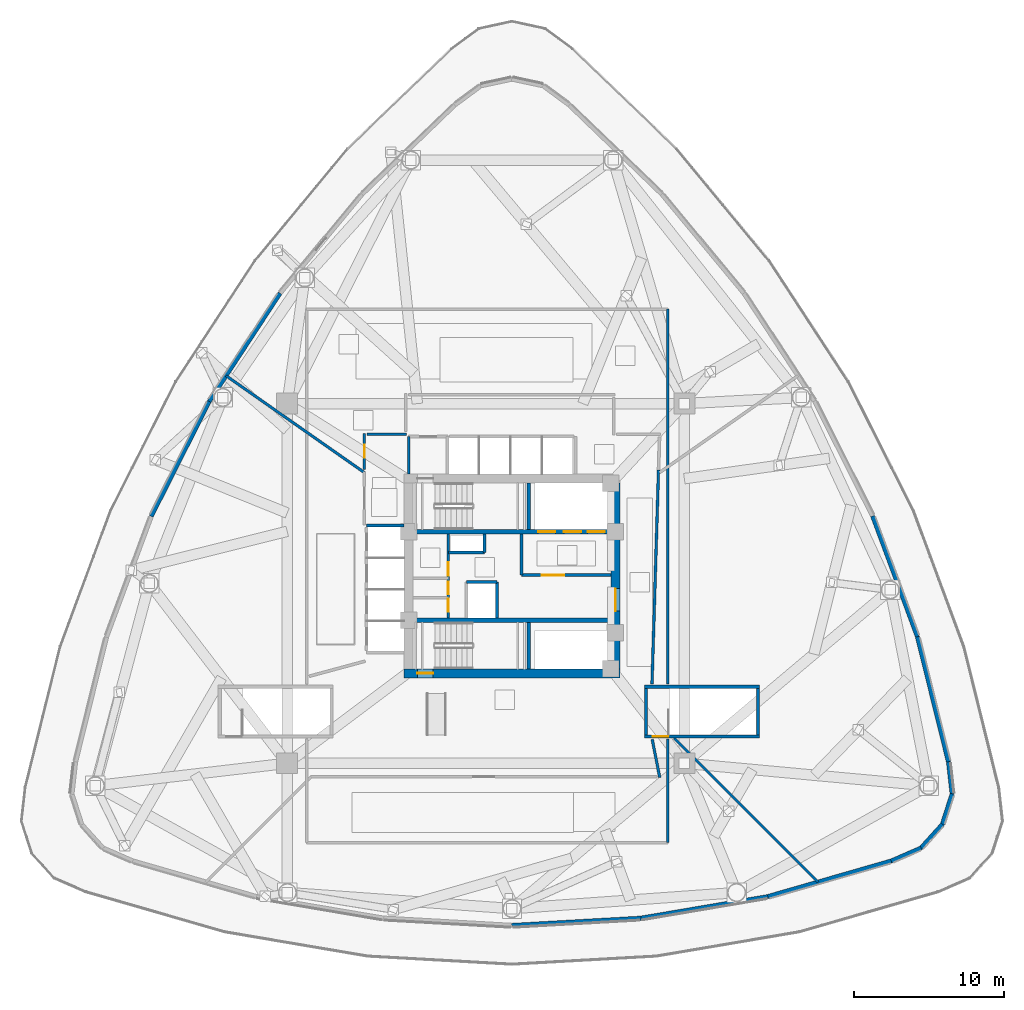
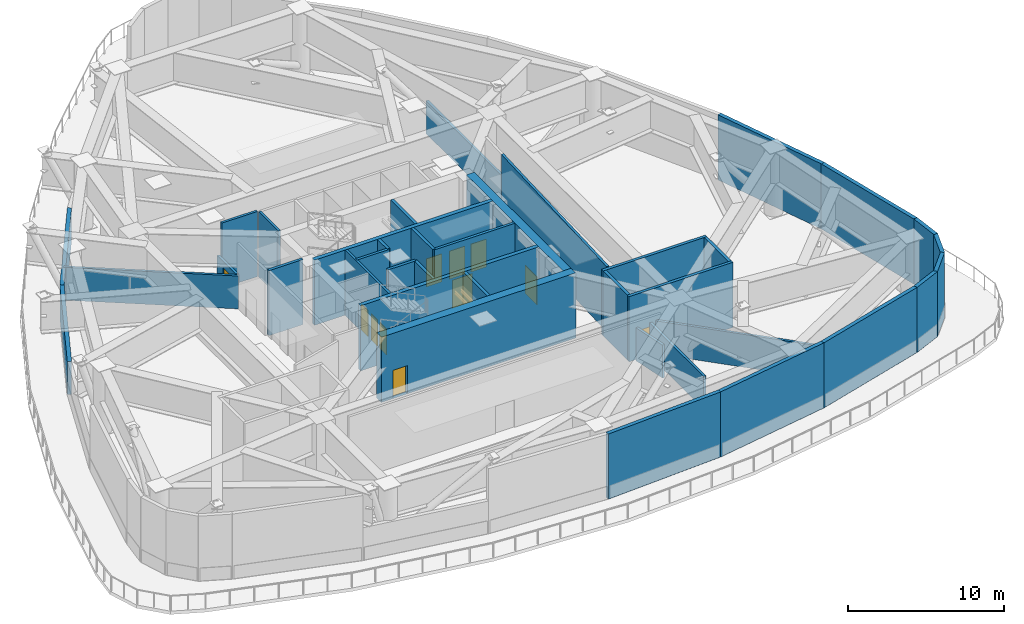
# One storey, part 4 of 9: 38 walls, 11 doors, 11 openings.
"""IFC4 building model written with IfcOpenShell, lengths in metres."""

from ifc_helpers import new_model, si_unit, direction, frame, frame_2d, origin, place, context, subcontext, project, spatial, rectangle, extrude, material, layer, layer_set, type_object, element, fill, save


model = new_model("IFC4")

# Units and contexts
model_context = context("Model", 3, precision=1e-05, world=origin(), true_north=direction((0.0, 1.0)))
body_context = subcontext(model_context, "Body", "Model", "MODEL_VIEW")
ifc_project = project(units=[si_unit("LENGTHUNIT", "METRE"), si_unit("AREAUNIT", "SQUARE_METRE"), si_unit("VOLUMEUNIT", "CUBIC_METRE"), si_unit("PLANEANGLEUNIT", "RADIAN"), si_unit("MASSUNIT", "GRAM", prefix="KILO")], contexts=[model_context])

# Site, building, storey
site_placement = place(None, origin())
site = spatial("IfcSite", under=ifc_project, at=site_placement, CompositionType="ELEMENT")
building_placement = place(site_placement, origin())
building = spatial("IfcBuilding", under=site, at=building_placement, Name="Tavelor Broadcast Tower", CompositionType="ELEMENT")
storey_placement = place(building_placement, frame((0.0, 0.0, 22.199951171875)))
storey = spatial("IfcBuildingStorey", under=building, at=storey_placement, Name="L04", CompositionType="ELEMENT", Elevation=22.199951171875)

# Wall, opening, door
ifc_material_1 = material(Name="Concrete C60/75", Category="concrete")
ifc_layer_1 = layer(ifc_material_1, 0.60009765625)
ifc_layer_set_1 = layer_set([ifc_layer_1], Name="Concrete C60/75")
wall_type_1 = type_object("IfcWallType", Name="Core Shear Wall 600 mm", PredefinedType="SHEAR", material=ifc_layer_set_1)
wall_1_placement = place(storey_placement, frame((42.800048828125, 38.5, 0.0), z_axis=(0.0, 0.0, 1.0), x_axis=(1.0, 0.0, 0.0)))
wall_1 = element("IfcWall", 1, at=wall_1_placement, inside=storey, type_object=wall_type_1, Name="L04 Central Core Shear Wall S", PredefinedType="SHEAR", context=body_context, shape_type="SweptSolid", body=[
    extrude(rectangle(XDim=14.39990234375, YDim=0.60009765625, at=frame_2d((7.199951171875, 0.0))), origin(), (0.0, 0.0, 1.0), 5.10009765625),
])
opening_1_placement = place(wall_1_placement, frame((0.8798828125, 0.0, 0.0)))
opening_1 = element("IfcOpeningElement", 2, at=opening_1_placement, cuts=wall_1, Name="Opening DR11", PredefinedType="OPENING", context=body_context, shape_type="SweptSolid", body=[
    extrude(rectangle(XDim=1.050048828125, YDim=2.199951171875, at=frame_2d((0.52490234375, 1.10009765625))), frame((0.0, 0.31005859375, 0.0), z_axis=(0.0, -1.0, 0.0), x_axis=(1.0, 0.0, 0.0)), (0.0, 0.0, 1.0), 0.6201171875),
])
ifc_material_2 = material(Name="Steel S355", Category="steel")
door_type_1 = type_object("IfcDoorType", Name="Stair Core Fire Escape Door 1050x2200", OperationType="NOTDEFINED", PredefinedType="DOOR", material=ifc_material_2)
door_1_placement = place(opening_1_placement, origin())
door_1 = element("IfcDoor", 3, at=door_1_placement, inside=storey, type_object=door_type_1, Name="L04 Stair ST2 Protected Exit Door", OperationType="SINGLE_SWING_RIGHT", OverallHeight=2.199951171875, OverallWidth=1.050048828125, PredefinedType="DOOR", context=body_context, shape_type="SweptSolid", body=[
    extrude(rectangle(XDim=1.050048828125, YDim=2.199951171875, at=frame_2d((0.52490234375, 1.10009765625))), frame((0.0, 0.02490234375, 0.0), z_axis=(0.0, -1.0, 0.0), x_axis=(1.0, 0.0, 0.0)), (0.0, 0.0, 1.0), 0.050048828125),
])
fill(opening_1, door_1)

wall_2_placement = place(storey_placement, frame((56.89990234375, 38.800048828125, 0.0), z_axis=(0.0, 0.0, 1.0), x_axis=(0.0, 1.0, 0.0)))
wall_2 = element("IfcWall", 4, at=wall_2_placement, inside=storey, type_object=wall_type_1, Name="L04 Central Core Shear Wall E", PredefinedType="SHEAR", context=body_context, shape_type="SweptSolid", body=[
    extrude(rectangle(XDim=12.39990234375, YDim=0.60009765625, at=frame_2d((6.199951171875, 0.0))), origin(), (0.0, 0.0, 1.0), 5.10009765625),
])
opening_2_placement = place(wall_2_placement, frame((3.85009765625, 0.0, 0.0)))
opening_2 = element("IfcOpeningElement", 5, at=opening_2_placement, cuts=wall_2, Name="Opening DR14", PredefinedType="OPENING", context=body_context, shape_type="SweptSolid", body=[
    extrude(rectangle(XDim=1.5, YDim=2.199951171875, at=frame_2d((0.75, 1.10009765625))), frame((0.0, 0.31005859375, 0.0), z_axis=(0.0, -1.0, 0.0), x_axis=(1.0, 0.0, 0.0)), (0.0, 0.0, 1.0), 0.6201171875),
])
door_type_2 = type_object("IfcDoorType", Name="Firefighting Lobby Double Fire Door 1500x2200", OperationType="NOTDEFINED", PredefinedType="DOOR", material=ifc_material_2)
door_2_placement = place(opening_2_placement, origin())
door_2 = element("IfcDoor", 6, at=door_2_placement, inside=storey, type_object=door_type_2, Name="L04 Central Core Lobby Fire Door", OperationType="SINGLE_SWING_LEFT", OverallHeight=2.199951171875, OverallWidth=1.5, PredefinedType="DOOR", context=body_context, shape_type="SweptSolid", body=[
    extrude(rectangle(XDim=1.5, YDim=2.199951171875, at=frame_2d((0.75, 1.10009765625))), frame((0.0, 0.02490234375, 0.0), z_axis=(0.0, -1.0, 0.0), x_axis=(1.0, 0.0, 0.0)), (0.0, 0.0, 1.0), 0.050048828125),
])
fill(opening_2, door_2)

# Wall, openings, doors
ifc_layer_2 = layer(ifc_material_1, 0.300048828125)
ifc_layer_set_2 = layer_set([ifc_layer_2], Name="Concrete C60/75")
wall_type_2 = type_object("IfcWallType", Name="Core Spine Shear Wall 300 mm C60", PredefinedType="SHEAR", material=ifc_layer_set_2)
wall_3_placement = place(storey_placement, frame((43.39990234375, 47.949951171875, 0.0), z_axis=(0.0, 0.0, 1.0), x_axis=(1.0, 0.0, 0.0)))
wall_3 = element("IfcWall", 7, at=wall_3_placement, inside=storey, type_object=wall_type_2, Name="L04 Central Core Shear Wall SP1", PredefinedType="SHEAR", context=body_context, shape_type="SweptSolid", body=[
    extrude(rectangle(XDim=13.2001953125, YDim=0.300048828125, at=frame_2d((6.60009765625, 0.0))), origin(), (0.0, 0.0, 1.0), 5.10009765625),
])
opening_3_placement = place(wall_3_placement, frame((8.344970703125, 0.0, 0.0)))
opening_3 = element("IfcOpeningElement", 8, at=opening_3_placement, cuts=wall_3, Name="Opening LD02", PredefinedType="OPENING", context=body_context, shape_type="SweptSolid", body=[
    extrude(rectangle(XDim=1.14990234375, YDim=2.199951171875, at=frame_2d((0.574951171875, 1.10009765625))), frame((0.0, 0.16015625, 0.0), z_axis=(0.0, -1.0, 0.0), x_axis=(1.0, 0.0, 0.0)), (0.0, 0.0, 1.0), 0.320068359375),
])
opening_4_placement = place(wall_3_placement, frame((10.06494140625, 0.0, 0.0)))
opening_4 = element("IfcOpeningElement", 9, at=opening_4_placement, cuts=wall_3, Name="Opening LD02", PredefinedType="OPENING", context=body_context, shape_type="SweptSolid", body=[
    extrude(rectangle(XDim=1.14990234375, YDim=2.199951171875, at=frame_2d((0.574951171875, 1.10009765625))), frame((0.0, 0.16015625, 0.0), z_axis=(0.0, -1.0, 0.0), x_axis=(1.0, 0.0, 0.0)), (0.0, 0.0, 1.0), 0.320068359375),
])
opening_5_placement = place(wall_3_placement, frame((11.64501953125, 0.0, 0.0)))
opening_5 = element("IfcOpeningElement", 10, at=opening_5_placement, cuts=wall_3, Name="Opening LD03", PredefinedType="OPENING", context=body_context, shape_type="SweptSolid", body=[
    extrude(rectangle(XDim=1.14990234375, YDim=2.199951171875, at=frame_2d((0.574951171875, 1.10009765625))), frame((0.0, 0.16015625, 0.0), z_axis=(0.0, -1.0, 0.0), x_axis=(1.0, 0.0, 0.0)), (0.0, 0.0, 1.0), 0.320068359375),
])
ifc_material_3 = material(Name="Reinforced Brushed Stainless Steel", Category="concrete")
door_type_3 = type_object("IfcDoorType", Name="Broadcast Goods Lift Sliding Landing Door 1250x2200", OperationType="NOTDEFINED", PredefinedType="DOOR", material=ifc_material_3)
door_3_placement = place(opening_5_placement, origin())
door_3 = element("IfcDoor", 11, at=door_3_placement, inside=storey, type_object=door_type_3, Name="L04 Lift SVL1 Sliding Landing Door", OperationType="SLIDING_TO_LEFT", OverallHeight=2.199951171875, OverallWidth=1.14990234375, PredefinedType="DOOR", context=body_context, shape_type="SweptSolid", body=[
    extrude(rectangle(XDim=1.14990234375, YDim=2.199951171875, at=frame_2d((0.574951171875, 1.10009765625))), frame((0.0, 0.02490234375, 0.0), z_axis=(0.0, -1.0, 0.0), x_axis=(1.0, 0.0, 0.0)), (0.0, 0.0, 1.0), 0.050048828125),
])
fill(opening_5, door_3)
ifc_material_4 = material(Name="Fire-Rated Stainless Steel", Category="steel")
door_type_4 = type_object("IfcDoorType", Name="Firefighting Lift Sliding Landing Door 1200x2200", OperationType="NOTDEFINED", PredefinedType="DOOR", material=ifc_material_4)
door_4_placement = place(opening_3_placement, origin())
door_4 = element("IfcDoor", 12, at=door_4_placement, inside=storey, type_object=door_type_4, Name="L04 Lift FFL1 Sliding Landing Door", OperationType="SLIDING_TO_LEFT", OverallHeight=2.199951171875, OverallWidth=1.14990234375, PredefinedType="DOOR", context=body_context, shape_type="SweptSolid", body=[
    extrude(rectangle(XDim=1.14990234375, YDim=2.199951171875, at=frame_2d((0.574951171875, 1.10009765625))), frame((0.0, 0.02490234375, 0.0), z_axis=(0.0, -1.0, 0.0), x_axis=(1.0, 0.0, 0.0)), (0.0, 0.0, 1.0), 0.050048828125),
])
fill(opening_3, door_4)
door_5_placement = place(opening_4_placement, origin())
door_5 = element("IfcDoor", 13, at=door_5_placement, inside=storey, type_object=door_type_4, Name="L04 Lift FFL2 Sliding Landing Door", OperationType="SLIDING_TO_LEFT", OverallHeight=2.199951171875, OverallWidth=1.14990234375, PredefinedType="DOOR", context=body_context, shape_type="SweptSolid", body=[
    extrude(rectangle(XDim=1.14990234375, YDim=2.199951171875, at=frame_2d((0.574951171875, 1.10009765625))), frame((0.0, 0.02490234375, 0.0), z_axis=(0.0, -1.0, 0.0), x_axis=(1.0, 0.0, 0.0)), (0.0, 0.0, 1.0), 0.050048828125),
])
fill(opening_4, door_5)

# Wall
wall_4_placement = place(storey_placement, frame((43.39990234375, 42.050048828125, 0.0), z_axis=(0.0, 0.0, 1.0), x_axis=(1.0, 0.0, 0.0)))
element("IfcWall", 14, at=wall_4_placement, inside=storey, type_object=wall_type_2, Name="L04 Central Core Shear Wall SP2", PredefinedType="SHEAR", context=body_context, shape_type="SweptSolid", body=[
    extrude(rectangle(XDim=13.2001953125, YDim=0.300048828125, at=frame_2d((6.60009765625, 0.0))), origin(), (0.0, 0.0, 1.0), 5.10009765625),
])

# Wall, openings, doors
ifc_material_5 = material(Name="Calcium Silicate Fire Board 180 mm", Category="gypsum")
ifc_layer_3 = layer(ifc_material_5, 0.179931640625)
ifc_layer_set_3 = layer_set([ifc_layer_3], Name="Calcium Silicate Fire Board 180 mm")
wall_type_3 = type_object("IfcWallType", Name="Fire-Rated Corridor Partition Wall 180 mm", PredefinedType="PARTITIONING", material=ifc_layer_set_3)
wall_5_placement = place(storey_placement, frame((45.75, 42.199951171875, 0.0), z_axis=(0.0, 0.0, 1.0), x_axis=(0.0, 1.0, 0.0)))
wall_5 = element("IfcWall", 15, at=wall_5_placement, inside=storey, type_object=wall_type_3, Name="L04 Core West Service East Wall", PredefinedType="PARTITIONING", context=body_context, shape_type="SweptSolid", body=[
    extrude(rectangle(XDim=5.60009765625, YDim=0.179931640625, at=frame_2d((2.800048828125, 0.0))), origin(), (0.0, 0.0, 1.0), 5.10009765625),
])
opening_6_placement = place(wall_5_placement, frame((0.419921875, 0.0, 0.0)))
opening_6 = element("IfcOpeningElement", 16, at=opening_6_placement, cuts=wall_5, Name="Opening DR36", PredefinedType="OPENING", context=body_context, shape_type="SweptSolid", body=[
    extrude(rectangle(XDim=0.85009765625, YDim=2.050048828125, at=frame_2d((0.425048828125, 1.02490234375))), frame((0.0, 0.10009765625, 0.0), z_axis=(0.0, -1.0, 0.0), x_axis=(1.0, 0.0, 0.0)), (0.0, 0.0, 1.0), 0.199951171875),
])
opening_7_placement = place(wall_5_placement, frame((1.570068359375, 0.0, 0.0)))
opening_7 = element("IfcOpeningElement", 17, at=opening_7_placement, cuts=wall_5, Name="Opening DR36", PredefinedType="OPENING", context=body_context, shape_type="SweptSolid", body=[
    extrude(rectangle(XDim=0.85009765625, YDim=2.050048828125, at=frame_2d((0.425048828125, 1.02490234375))), frame((0.0, 0.10009765625, 0.0), z_axis=(0.0, -1.0, 0.0), x_axis=(1.0, 0.0, 0.0)), (0.0, 0.0, 1.0), 0.199951171875),
])
opening_8_placement = place(wall_5_placement, frame((2.800048828125, 0.0, 0.0)))
opening_8 = element("IfcOpeningElement", 18, at=opening_8_placement, cuts=wall_5, Name="Opening DR32", PredefinedType="OPENING", context=body_context, shape_type="SweptSolid", body=[
    extrude(rectangle(XDim=0.89990234375, YDim=2.050048828125, at=frame_2d((0.449951171875, 1.02490234375))), frame((0.0, 0.10009765625, 0.0), z_axis=(0.0, -1.0, 0.0), x_axis=(1.0, 0.0, 0.0)), (0.0, 0.0, 1.0), 0.199951171875),
])
ifc_material_6 = material(Name="Timber Solid Core Hardwood", Category="wood")
door_type_5 = type_object("IfcDoorType", Name="Accessible Washroom Door 900x2050", OperationType="NOTDEFINED", PredefinedType="DOOR", material=ifc_material_6)
door_6_placement = place(opening_8_placement, origin())
door_6 = element("IfcDoor", 19, at=door_6_placement, inside=storey, type_object=door_type_5, Name="L04 Core Accessible WC Door", OperationType="SINGLE_SWING_LEFT", OverallHeight=2.050048828125, OverallWidth=0.89990234375, PredefinedType="DOOR", context=body_context, shape_type="SweptSolid", body=[
    extrude(rectangle(XDim=0.89990234375, YDim=2.050048828125, at=frame_2d((0.449951171875, 1.02490234375))), frame((0.0, 0.02490234375, 0.0), z_axis=(0.0, -1.0, 0.0), x_axis=(1.0, 0.0, 0.0)), (0.0, 0.0, 1.0), 0.050048828125),
])
fill(opening_8, door_6)
door_type_6 = type_object("IfcDoorType", Name="Service Room Fire Door 850x2050", OperationType="NOTDEFINED", PredefinedType="DOOR", material=ifc_material_2)
door_7_placement = place(opening_6_placement, origin())
door_7 = element("IfcDoor", 20, at=door_7_placement, inside=storey, type_object=door_type_6, Name="L04 Core Medical Room Door", OperationType="SINGLE_SWING_LEFT", OverallHeight=2.050048828125, OverallWidth=0.85009765625, PredefinedType="DOOR", context=body_context, shape_type="SweptSolid", body=[
    extrude(rectangle(XDim=0.85009765625, YDim=2.050048828125, at=frame_2d((0.425048828125, 1.02490234375))), frame((0.0, 0.02490234375, 0.0), z_axis=(0.0, -1.0, 0.0), x_axis=(1.0, 0.0, 0.0)), (0.0, 0.0, 1.0), 0.050048828125),
])
fill(opening_6, door_7)
door_8_placement = place(opening_7_placement, origin())
door_8 = element("IfcDoor", 21, at=door_8_placement, inside=storey, type_object=door_type_6, Name="L04 Core Copy Room Door", OperationType="SINGLE_SWING_RIGHT", OverallHeight=2.050048828125, OverallWidth=0.85009765625, PredefinedType="DOOR", context=body_context, shape_type="SweptSolid", body=[
    extrude(rectangle(XDim=0.85009765625, YDim=2.050048828125, at=frame_2d((0.425048828125, 1.02490234375))), frame((0.0, 0.02490234375, 0.0), z_axis=(0.0, -1.0, 0.0), x_axis=(1.0, 0.0, 0.0)), (0.0, 0.0, 1.0), 0.050048828125),
])
fill(opening_7, door_8)

# Walls
wall_6_placement = place(storey_placement, frame((60.39990234375, 27.199951171875, 0.0), z_axis=(0.0, 0.0, 1.0), x_axis=(0.0, 1.0, 0.0)))
element("IfcWall", 22, at=wall_6_placement, inside=storey, type_object=wall_type_3, Name="L04 Inner Plant Enclosure East Wall", PredefinedType="PARTITIONING", context=body_context, shape_type="SweptSolid", body=[
    extrude(rectangle(XDim=6.920166015625, YDim=0.179931640625, at=frame_2d((3.4599609375, 0.0))), origin(), (0.0, 0.0, 1.0), 2.574951171875),
])
wall_7_placement = place(storey_placement, frame((60.39990234375, 37.780029296875, 0.0), z_axis=(0.0, 0.0, 1.0), x_axis=(0.0, 1.0, 0.0)))
element("IfcWall", 23, at=wall_7_placement, inside=storey, type_object=wall_type_3, Name="L04 Inner Plant Enclosure East Wall", PredefinedType="PARTITIONING", context=body_context, shape_type="SweptSolid", body=[
    extrude(rectangle(XDim=25.02001953125, YDim=0.179931640625, at=frame_2d((12.510009765625, 0.0))), origin(), (0.0, 0.0, 1.0), 2.574951171875),
])
wall_8_placement = place(storey_placement, frame((43.10009765625, 51.800048828125, 0.0), z_axis=(0.0, 0.0, 1.0), x_axis=(0.0, 1.0, 0.0)))
element("IfcWall", 24, at=wall_8_placement, inside=storey, type_object=wall_type_3, Name="L04 Stair ST1 Lobby West Wall", PredefinedType="PARTITIONING", context=body_context, shape_type="SweptSolid", body=[
    extrude(rectangle(XDim=2.5, YDim=0.179931640625, at=frame_2d((1.25, 0.0))), origin(), (0.0, 0.0, 1.0), 5.10009765625),
])
wall_9_placement = place(storey_placement, frame((40.14990234375, 51.89697265625, 0.0), z_axis=(0.0, 0.0, 1.0), x_axis=(-0.819143359288, 0.573588839619, 0.0)))
element("IfcWall", 25, at=wall_9_placement, inside=storey, type_object=wall_type_3, Name="L04 Plant Quadrant Fire Wall", PredefinedType="PARTITIONING", context=body_context, shape_type="SweptSolid", body=[
    extrude(rectangle(XDim=11.268798828125, YDim=0.179931640625, at=frame_2d((5.63427734375, 0.0))), origin(), (0.0, 0.0, 1.0), 2.574951171875),
])
wall_10_placement = place(storey_placement, frame((60.820068359375, 34.179931640625, 0.0), z_axis=(0.0, 0.0, 1.0), x_axis=(0.707106781187, -0.707106781187, 0.0)))
element("IfcWall", 26, at=wall_10_placement, inside=storey, type_object=wall_type_3, Name="L04 Plant Quadrant Fire Wall", PredefinedType="PARTITIONING", context=body_context, shape_type="SweptSolid", body=[
    extrude(rectangle(XDim=13.58349609375, YDim=0.179931640625, at=frame_2d((6.791748046875, 0.0))), origin(), (0.0, 0.0, 1.0), 2.574951171875),
])

# Wall, opening, door
wall_11_placement = place(storey_placement, frame((40.14990234375, 52.117919921875, 0.0), z_axis=(0.0, 0.0, 1.0), x_axis=(0.0, 1.0, 0.0)))
wall_11 = element("IfcWall", 27, at=wall_11_placement, inside=storey, type_object=wall_type_3, Name="L04 Plant Corridor Fire Wall", PredefinedType="PARTITIONING", context=body_context, shape_type="SweptSolid", body=[
    extrude(rectangle(XDim=2.39208984375, YDim=0.179931640625, at=frame_2d((1.196044921875, 0.0))), origin(), (0.0, 0.0, 1.0), 2.574951171875),
])
opening_9_placement = place(wall_11_placement, frame((0.77099609375, 0.0, 0.0)))
opening_9 = element("IfcOpeningElement", 28, at=opening_9_placement, cuts=wall_11, Name="Opening DR36", PredefinedType="OPENING", context=body_context, shape_type="SweptSolid", body=[
    extrude(rectangle(XDim=0.85009765625, YDim=2.050048828125, at=frame_2d((0.425048828125, 1.02490234375))), frame((0.0, 0.10009765625, 0.0), z_axis=(0.0, -1.0, 0.0), x_axis=(1.0, 0.0, 0.0)), (0.0, 0.0, 1.0), 0.199951171875),
])
door_9_placement = place(opening_9_placement, origin())
door_9 = element("IfcDoor", 29, at=door_9_placement, inside=storey, type_object=door_type_6, Name="L04 Mechanical Air Handling Plant Room Direct Corridor Door", OperationType="SINGLE_SWING_RIGHT", OverallHeight=2.050048828125, OverallWidth=0.85009765625, PredefinedType="DOOR", context=body_context, shape_type="SweptSolid", body=[
    extrude(rectangle(XDim=0.85009765625, YDim=2.050048828125, at=frame_2d((0.425048828125, 1.02490234375))), frame((0.0, 0.02490234375, 0.0), z_axis=(0.0, -1.0, 0.0), x_axis=(1.0, 0.0, 0.0)), (0.0, 0.0, 1.0), 0.050048828125),
])
fill(opening_9, door_9)

# Walls
wall_12_placement = place(storey_placement, frame((40.330078125, 54.449951171875, 0.0), z_axis=(0.0, 0.0, 1.0), x_axis=(1.0, 0.0, 0.0)))
element("IfcWall", 30, at=wall_12_placement, inside=storey, type_object=wall_type_3, Name="L04 Plant Corridor Fire Wall", PredefinedType="PARTITIONING", context=body_context, shape_type="SweptSolid", body=[
    extrude(rectangle(XDim=2.6298828125, YDim=0.179931640625, at=frame_2d((1.31494140625, 0.0))), origin(), (0.0, 0.0, 1.0), 5.10009765625),
])
wall_13_placement = place(storey_placement, frame((59.777099609375, 52.0634765625, 0.0), z_axis=(0.0, 0.0, 1.0), x_axis=(-0.030470414506, -0.999535669118, 0.0)))
element("IfcWall", 31, at=wall_13_placement, inside=storey, type_object=wall_type_3, Name="L04 Plant Corridor Fire Wall", PredefinedType="PARTITIONING", context=body_context, shape_type="SweptSolid", body=[
    extrude(rectangle(XDim=14.27001953125, YDim=0.179931640625, at=frame_2d((7.135009765625, 0.0))), origin(), (0.0, 0.0, 1.0), 5.10009765625),
])
wall_14_placement = place(storey_placement, frame((59.35595703125, 34.098876953125, 0.0), z_axis=(0.0, 0.0, 1.0), x_axis=(0.193918813567, -0.981017580752, 0.0)))
element("IfcWall", 32, at=wall_14_placement, inside=storey, type_object=wall_type_3, Name="L04 Plant Corridor Fire Wall", PredefinedType="PARTITIONING", context=body_context, shape_type="SweptSolid", body=[
    extrude(rectangle(XDim=2.607421875, YDim=0.179931640625, at=frame_2d((1.3037109375, 0.0))), origin(), (0.0, 0.0, 1.0), 2.574951171875),
])
ifc_material_7 = material(Name="Precast Concrete C40/50", Category="concrete")
ifc_layer_4 = layer(ifc_material_7, 0.280029296875)
ifc_layer_set_4 = layer_set([ifc_layer_4], Name="Precast Concrete C40/50")
wall_type_4 = type_object("IfcWallType", Name="Insulated Precast Terracotta Facade Wall 280 mm", PredefinedType="STANDARD", material=ifc_layer_set_4)
wall_15_placement = place(storey_placement, frame((34.522216796875, 63.863525390625, 0.0), z_axis=(0.0, 0.0, 1.0), x_axis=(-0.547783818818, -0.836619918386, 0.0)))
element("IfcWall", 33, at=wall_15_placement, inside=storey, type_object=wall_type_4, Name="L04 Precast Terracotta Facade Wall 07", PredefinedType="STANDARD", context=body_context, shape_type="SweptSolid", body=[
    extrude(rectangle(XDim=8.625732421875, YDim=0.280029296875, at=frame_2d((4.31298828125, 0.0))), origin(), (0.0, 0.0, 1.0), 2.574951171875),
])
wall_16_placement = place(storey_placement, frame((29.81201171875, 56.6728515625, 0.0), z_axis=(0.0, 0.0, 1.0), x_axis=(-0.450629246348, -0.892711197608, 0.0)))
element("IfcWall", 34, at=wall_16_placement, inside=storey, type_object=wall_type_4, Name="L04 Precast Terracotta Facade Wall 08", PredefinedType="STANDARD", context=body_context, shape_type="SweptSolid", body=[
    extrude(rectangle(XDim=8.626220703125, YDim=0.280029296875, at=frame_2d((4.31298828125, 0.0))), origin(), (0.0, 0.0, 1.0), 2.574951171875),
])
wall_17_placement = place(storey_placement, frame((49.985107421875, 21.680419921875, 0.0), z_axis=(0.0, 0.0, 1.0), x_axis=(0.998425321557, 0.056097034452, 0.0)))
element("IfcWall", 35, at=wall_17_placement, inside=storey, type_object=wall_type_4, Name="L04 Precast Terracotta Facade Wall 18", PredefinedType="STANDARD", context=body_context, shape_type="SweptSolid", body=[
    extrude(rectangle(XDim=8.6259765625, YDim=0.280029296875, at=frame_2d((4.31298828125, 0.0))), origin(), (0.0, 0.0, 1.0), 5.10009765625),
])
wall_18_placement = place(storey_placement, frame((58.567626953125, 22.160888671875, 0.0), z_axis=(0.0, 0.0, 1.0), x_axis=(0.985859493825, 0.167574038667, 0.0)))
element("IfcWall", 36, at=wall_18_placement, inside=storey, type_object=wall_type_4, Name="L04 Precast Terracotta Facade Wall 19", PredefinedType="STANDARD", context=body_context, shape_type="SweptSolid", body=[
    extrude(rectangle(XDim=8.62646484375, YDim=0.280029296875, at=frame_2d((4.313232421875, 0.0))), origin(), (0.0, 0.0, 1.0), 5.10009765625),
])
wall_19_placement = place(storey_placement, frame((67.042724609375, 23.599853515625, 0.0), z_axis=(0.0, 0.0, 1.0), x_axis=(0.960875037172, 0.276982243003, 0.0)))
element("IfcWall", 37, at=wall_19_placement, inside=storey, type_object=wall_type_4, Name="L04 Precast Terracotta Facade Wall 20", PredefinedType="STANDARD", context=body_context, shape_type="SweptSolid", body=[
    extrude(rectangle(XDim=8.624755859375, YDim=0.280029296875, at=frame_2d((4.3125, 0.0))), origin(), (0.0, 0.0, 1.0), 5.10009765625),
])
wall_20_placement = place(storey_placement, frame((75.3017578125, 25.978515625, 0.0), z_axis=(0.0, 0.0, 1.0), x_axis=(0.916670714742, 0.399643341911, 0.0)))
element("IfcWall", 38, at=wall_20_placement, inside=storey, type_object=wall_type_4, Name="L04 Precast Terracotta Facade Wall 21", PredefinedType="STANDARD", context=body_context, shape_type="SweptSolid", body=[
    extrude(rectangle(XDim=2.1796875, YDim=0.280029296875, at=frame_2d((1.08984375, 0.0))), origin(), (0.0, 0.0, 1.0), 5.10009765625),
])
wall_21_placement = place(storey_placement, frame((77.276123046875, 26.83251953125, 0.0), z_axis=(0.0, 0.0, 1.0), x_axis=(0.671111744972, 0.74135620707, 0.0)))
element("IfcWall", 39, at=wall_21_placement, inside=storey, type_object=wall_type_4, Name="L04 Precast Terracotta Facade Wall 22", PredefinedType="STANDARD", context=body_context, shape_type="SweptSolid", body=[
    extrude(rectangle(XDim=2.158447265625, YDim=0.280029296875, at=frame_2d((1.0791015625, 0.0))), origin(), (0.0, 0.0, 1.0), 5.10009765625),
])
wall_22_placement = place(storey_placement, frame((78.7099609375, 28.4072265625, 0.0), z_axis=(0.0, 0.0, 1.0), x_axis=(0.306507049893, 0.951868388154, 0.0)))
element("IfcWall", 40, at=wall_22_placement, inside=storey, type_object=wall_type_4, Name="L04 Precast Terracotta Facade Wall 23", PredefinedType="STANDARD", context=body_context, shape_type="SweptSolid", body=[
    extrude(rectangle(XDim=2.15869140625, YDim=0.280029296875, at=frame_2d((1.079345703125, 0.0))), origin(), (0.0, 0.0, 1.0), 5.10009765625),
])
wall_23_placement = place(storey_placement, frame((79.368896484375, 30.432861328125, 0.0), z_axis=(0.0, 0.0, 1.0), x_axis=(-0.112459801622, 0.993656275087, 0.0)))
element("IfcWall", 41, at=wall_23_placement, inside=storey, type_object=wall_type_4, Name="L04 Precast Terracotta Facade Wall 24", PredefinedType="STANDARD", context=body_context, shape_type="SweptSolid", body=[
    extrude(rectangle(XDim=2.1796875, YDim=0.280029296875, at=frame_2d((1.08984375, 0.0))), origin(), (0.0, 0.0, 1.0), 5.10009765625),
])
wall_24_placement = place(storey_placement, frame((79.129150390625, 32.569091796875, 0.0), z_axis=(0.0, 0.0, 1.0), x_axis=(-0.240550318402, 0.970636669571, 0.0)))
element("IfcWall", 42, at=wall_24_placement, inside=storey, type_object=wall_type_4, Name="L04 Precast Terracotta Facade Wall 25", PredefinedType="STANDARD", context=body_context, shape_type="SweptSolid", body=[
    extrude(rectangle(XDim=8.624755859375, YDim=0.280029296875, at=frame_2d((4.3125, 0.0))), origin(), (0.0, 0.0, 1.0), 5.10009765625),
])
wall_25_placement = place(storey_placement, frame((77.063232421875, 40.912109375, 0.0), z_axis=(0.0, 0.0, 1.0), x_axis=(-0.347780740283, 0.937575893828, 0.0)))
element("IfcWall", 43, at=wall_25_placement, inside=storey, type_object=wall_type_4, Name="L04 Precast Terracotta Facade Wall 26", PredefinedType="STANDARD", context=body_context, shape_type="SweptSolid", body=[
    extrude(rectangle(XDim=8.626220703125, YDim=0.280029296875, at=frame_2d((4.31298828125, 0.0))), origin(), (0.0, 0.0, 1.0), 5.10009765625),
])
ifc_material_8 = material(Name="Concrete Blockwork 200 mm", Category="masonry")
ifc_layer_5 = layer(ifc_material_8, 0.199951171875)
ifc_layer_set_5 = layer_set([ifc_layer_5], Name="Concrete Blockwork 200 mm")
wall_type_5 = type_object("IfcWallType", Name="Lift Hoistway Rated Front Wall 200 mm", PredefinedType="PARTITIONING", material=ifc_layer_set_5)
wall_26_placement = place(storey_placement, frame((49.0, 42.199951171875, 0.0), z_axis=(0.0, 0.0, 1.0), x_axis=(0.0, 1.0, 0.0)))
element("IfcWall", 44, at=wall_26_placement, inside=storey, type_object=wall_type_5, Name="L04 Mid-Rise Lift PLM4 Hoistway Front Wall", PredefinedType="PARTITIONING", context=body_context, shape_type="SweptSolid", body=[
    extrude(rectangle(XDim=2.400146484375, YDim=0.199951171875, at=frame_2d((1.2001953125, 0.0))), origin(), (0.0, 0.0, 1.0), 5.10009765625),
])
ifc_layer_6 = layer(ifc_material_8, 0.199951171875)
ifc_layer_set_6 = layer_set([ifc_layer_6], Name="Concrete Blockwork 200 mm")
wall_type_6 = type_object("IfcWallType", Name="Lift and Riser Shaft Enclosure Wall 200 mm", PredefinedType="PARTITIONING", material=ifc_layer_set_6)
wall_27_placement = place(storey_placement, frame((40.300048828125, 48.35009765625, 0.0), z_axis=(0.0, 0.0, 1.0), x_axis=(1.0, 0.0, 0.0)))
element("IfcWall", 45, at=wall_27_placement, inside=storey, type_object=wall_type_6, Name="L04 Low-Rise Lift Shaft North Wall", PredefinedType="PARTITIONING", context=body_context, shape_type="SweptSolid", body=[
    extrude(rectangle(XDim=2.5, YDim=0.199951171875, at=frame_2d((1.25, 0.0))), origin(), (0.0, 0.0, 1.0), 5.10009765625),
])
wall_28_placement = place(storey_placement, frame((45.75, 46.550048828125, 0.0), z_axis=(0.0, 0.0, 1.0), x_axis=(1.0, 0.0, 0.0)))
element("IfcWall", 46, at=wall_28_placement, inside=storey, type_object=wall_type_6, Name="L04 Riser Shaft South Wall", PredefinedType="PARTITIONING", context=body_context, shape_type="SweptSolid", body=[
    extrude(rectangle(XDim=2.39990234375, YDim=0.199951171875, at=frame_2d((1.199951171875, 0.0))), origin(), (0.0, 0.0, 1.0), 5.10009765625),
])
wall_29_placement = place(storey_placement, frame((48.14990234375, 46.550048828125, 0.0), z_axis=(0.0, 0.0, 1.0), x_axis=(0.0, 1.0, 0.0)))
element("IfcWall", 47, at=wall_29_placement, inside=storey, type_object=wall_type_6, Name="L04 Riser Shaft East Wall", PredefinedType="PARTITIONING", context=body_context, shape_type="SweptSolid", body=[
    extrude(rectangle(XDim=1.25, YDim=0.199951171875, at=frame_2d((0.625, 0.0))), origin(), (0.0, 0.0, 1.0), 5.10009765625),
])
wall_30_placement = place(storey_placement, frame((46.949951171875, 44.60009765625, 0.0), z_axis=(0.0, 0.0, 1.0), x_axis=(1.0, 0.0, 0.0)))
element("IfcWall", 48, at=wall_30_placement, inside=storey, type_object=wall_type_6, Name="L04 Mid-Rise Lift PLM4 North Wall", PredefinedType="PARTITIONING", context=body_context, shape_type="SweptSolid", body=[
    extrude(rectangle(XDim=2.050048828125, YDim=0.199951171875, at=frame_2d((1.02490234375, 0.0))), origin(), (0.0, 0.0, 1.0), 5.10009765625),
])

# Wall, opening, door
wall_31_placement = place(storey_placement, frame((50.64990234375, 45.050048828125, 0.0), z_axis=(0.0, 0.0, 1.0), x_axis=(1.0, 0.0, 0.0)))
wall_31 = element("IfcWall", 49, at=wall_31_placement, inside=storey, type_object=wall_type_6, Name="L04 Firefighting Lobby South Wall", PredefinedType="PARTITIONING", context=body_context, shape_type="SweptSolid", body=[
    extrude(rectangle(XDim=5.9501953125, YDim=0.199951171875, at=frame_2d((2.97509765625, 0.0))), origin(), (0.0, 0.0, 1.0), 5.10009765625),
])
opening_10_placement = place(wall_31_placement, frame((1.35009765625, 0.0, 0.0)))
opening_10 = element("IfcOpeningElement", 50, at=opening_10_placement, cuts=wall_31, Name="Opening DR14", PredefinedType="OPENING", context=body_context, shape_type="SweptSolid", body=[
    extrude(rectangle(XDim=1.5, YDim=2.199951171875, at=frame_2d((0.75, 1.10009765625))), frame((0.0, 0.10986328125, 0.0), z_axis=(0.0, -1.0, 0.0), x_axis=(1.0, 0.0, 0.0)), (0.0, 0.0, 1.0), 0.219970703125),
])
door_10_placement = place(opening_10_placement, origin())
door_10 = element("IfcDoor", 51, at=door_10_placement, inside=storey, type_object=door_type_2, Name="L04 Firefighting Lobby Compartment Door", OperationType="SINGLE_SWING_RIGHT", OverallHeight=2.199951171875, OverallWidth=1.5, PredefinedType="DOOR", context=body_context, shape_type="SweptSolid", body=[
    extrude(rectangle(XDim=1.5, YDim=2.199951171875, at=frame_2d((0.75, 1.10009765625))), frame((0.0, 0.02490234375, 0.0), z_axis=(0.0, -1.0, 0.0), x_axis=(1.0, 0.0, 0.0)), (0.0, 0.0, 1.0), 0.050048828125),
])
fill(opening_10, door_10)

# Walls
wall_32_placement = place(storey_placement, frame((50.64990234375, 45.050048828125, 0.0), z_axis=(0.0, 0.0, 1.0), x_axis=(0.0, 1.0, 0.0)))
element("IfcWall", 52, at=wall_32_placement, inside=storey, type_object=wall_type_6, Name="L04 Firefighting Lobby West Wall", PredefinedType="PARTITIONING", context=body_context, shape_type="SweptSolid", body=[
    extrude(rectangle(XDim=2.75, YDim=0.199951171875, at=frame_2d((1.375, 0.0))), origin(), (0.0, 0.0, 1.0), 5.10009765625),
])
ifc_material_9 = material(Name="Concrete C40/50", Category="concrete")
ifc_layer_7 = layer(ifc_material_9, 0.219970703125)
ifc_layer_set_7 = layer_set([ifc_layer_7], Name="Concrete C40/50")
wall_type_7 = type_object("IfcWallType", Name="Structural Stairwell Shear Wall 220 mm", PredefinedType="SHEAR", material=ifc_layer_set_7)
for number, where, z_axis, x_axis, name in (
    (53, (51.110107421875, 48.10009765625, 0.0), (0.0, 0.0, 1.0), (0.0, 1.0, 0.0), "L04 Stair ST1 Structural Shaft Wall"),
    (54, (51.110107421875, 38.800048828125, 0.0), (0.0, 0.0, 1.0), (0.0, 1.0, 0.0), "L04 Stair ST2 Structural Shaft Wall"),
):
    element("IfcWall", number, at=place(storey_placement, frame(where, z_axis=z_axis, x_axis=x_axis)), inside=storey, type_object=wall_type_7, Name=name, PredefinedType="SHEAR", context=body_context, shape_type="SweptSolid", body=[
        extrude(rectangle(XDim=3.099853515625, YDim=0.219970703125, at=frame_2d((1.5498046875, 0.0))), origin(), (0.0, 0.0, 1.0), 5.10009765625),
    ])

# Wall, opening, door
wall_33_placement = place(storey_placement, frame((58.830078125, 34.2900390625, 0.0), z_axis=(0.0, 0.0, 1.0), x_axis=(1.0, 0.0, 0.0)))
wall_33 = element("IfcWall", 55, at=wall_33_placement, inside=storey, type_object=wall_type_7, Name="L04 Stair ST4 Structural Shaft Wall S", PredefinedType="SHEAR", context=body_context, shape_type="SweptSolid", body=[
    extrude(rectangle(XDim=7.68994140625, YDim=0.219970703125, at=frame_2d((3.844970703125, 0.0))), origin(), (0.0, 0.0, 1.0), 5.10009765625),
])
opening_11_placement = place(wall_33_placement, frame((0.550048828125, 0.0, 0.0)))
opening_11 = element("IfcOpeningElement", 56, at=opening_11_placement, cuts=wall_33, Name="Opening DR11", PredefinedType="OPENING", context=body_context, shape_type="SweptSolid", body=[
    extrude(rectangle(XDim=1.050048828125, YDim=2.199951171875, at=frame_2d((0.52490234375, 1.10009765625))), frame((0.0, 0.1201171875, 0.0), z_axis=(0.0, -1.0, 0.0), x_axis=(1.0, 0.0, 0.0)), (0.0, 0.0, 1.0), 0.239990234375),
])
door_11_placement = place(opening_11_placement, origin())
door_11 = element("IfcDoor", 57, at=door_11_placement, inside=storey, type_object=door_type_1, Name="L04 Stair ST4 Protected Fire Door", OperationType="SINGLE_SWING_RIGHT", OverallHeight=2.199951171875, OverallWidth=1.050048828125, PredefinedType="DOOR", context=body_context, shape_type="SweptSolid", body=[
    extrude(rectangle(XDim=1.050048828125, YDim=2.199951171875, at=frame_2d((0.52490234375, 1.10009765625))), frame((0.0, 0.02490234375, 0.0), z_axis=(0.0, -1.0, 0.0), x_axis=(1.0, 0.0, 0.0)), (0.0, 0.0, 1.0), 0.050048828125),
])
fill(opening_11, door_11)

# Walls
wall_34_placement = place(storey_placement, frame((58.830078125, 37.610107421875, 0.0), z_axis=(0.0, 0.0, 1.0), x_axis=(1.0, 0.0, 0.0)))
element("IfcWall", 58, at=wall_34_placement, inside=storey, type_object=wall_type_7, Name="L04 Stair ST4 Structural Shaft Wall N", PredefinedType="SHEAR", context=body_context, shape_type="SweptSolid", body=[
    extrude(rectangle(XDim=7.68994140625, YDim=0.219970703125, at=frame_2d((3.844970703125, 0.0))), origin(), (0.0, 0.0, 1.0), 5.10009765625),
])
for number, where, z_axis, x_axis, name in (
    (59, (66.409912109375, 34.39990234375, 0.0), (0.0, 0.0, 1.0), (0.0, 1.0, 0.0), "L04 Stair ST4 Structural Shaft Wall E"),
    (60, (58.93994140625, 34.39990234375, 0.0), (0.0, 0.0, 1.0), (0.0, 1.0, 0.0), "L04 Stair ST4 Structural Shaft Wall W"),
):
    element("IfcWall", number, at=place(storey_placement, frame(where, z_axis=z_axis, x_axis=x_axis)), inside=storey, type_object=wall_type_7, Name=name, PredefinedType="SHEAR", context=body_context, shape_type="SweptSolid", body=[
        extrude(rectangle(XDim=3.10009765625, YDim=0.219970703125, at=frame_2d((1.550048828125, 0.0))), origin(), (0.0, 0.0, 1.0), 5.10009765625),
    ])

save(model, "model.ifc")
